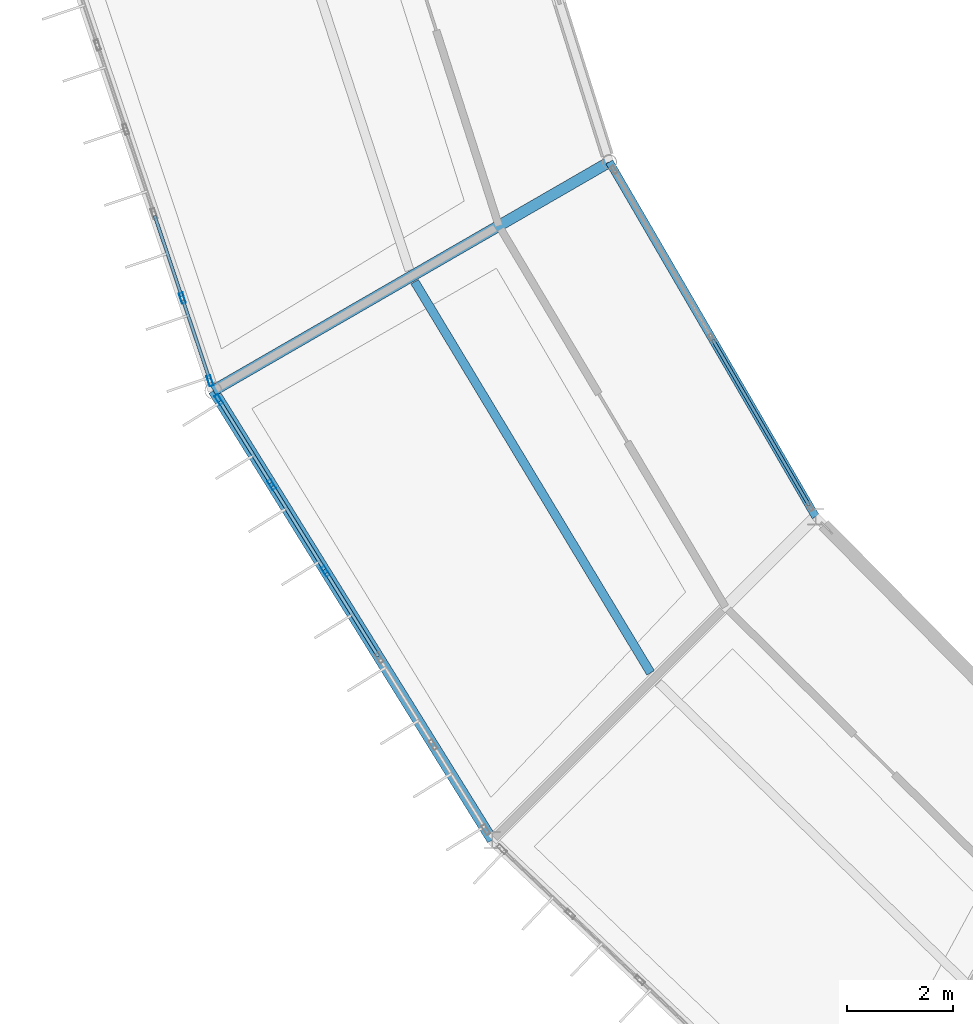
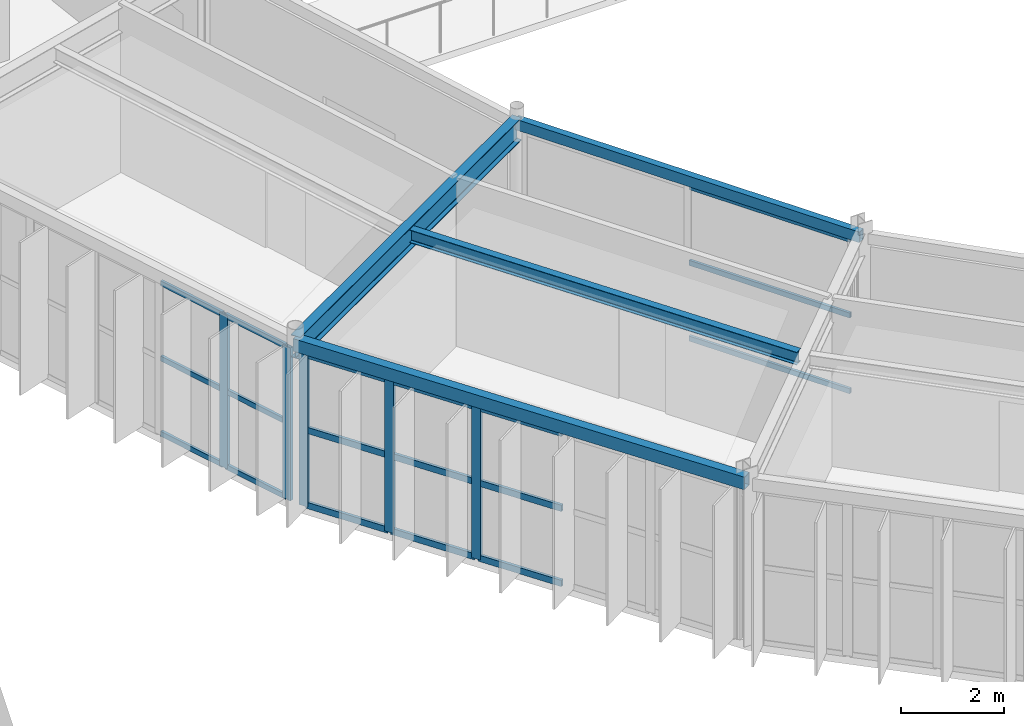
# One storey, part 27 of 147: 23 members, 4 beams, 3 elements without a shape of their own.
"""IFC4 building model written with IfcOpenShell, lengths in metres."""

from ifc_helpers import new_model, si_unit, direction, frame, origin, origin_2d, place, context, subcontext, project, spatial, hollow_rectangle, i_section, extrude, material, material_profile, profile_set, type_object, element, aggregate, save


model = new_model("IFC4")

# Units and contexts
model_context = context("Model", 3, precision=1e-05, world=origin(), true_north=direction((0.0, 1.0)))
body_context = subcontext(model_context, "Body", "Model", "MODEL_VIEW")
ifc_project = project(units=[si_unit("LENGTHUNIT", "METRE"), si_unit("AREAUNIT", "SQUARE_METRE"), si_unit("VOLUMEUNIT", "CUBIC_METRE"), si_unit("PLANEANGLEUNIT", "RADIAN"), si_unit("MASSUNIT", "GRAM", prefix="KILO")], contexts=[model_context])

# Site, building, storey
site_placement = place(None, origin())
site = spatial("IfcSite", under=ifc_project, at=site_placement, CompositionType="ELEMENT")
building_placement = place(site_placement, origin())
building = spatial("IfcBuilding", under=site, at=building_placement, Name="Karori Crest Natural Sciences Institute", CompositionType="ELEMENT")
storey_placement = place(building_placement, frame((0.0, 0.0, 9.10009765625)))
storey = spatial("IfcBuildingStorey", under=building, at=storey_placement, Name="L02", CompositionType="ELEMENT", Elevation=9.10009765625)

# Beams
ifc_material_1 = material(Name="Structural steel AS/NZS 3679.1 Grade 350", Category="steel")
ifc_material_profile_1 = material_profile(ifc_material_1, i_section(OverallWidth=0.208984375, OverallDepth=0.532958984375, WebThickness=0.01025390625, FlangeThickness=0.015625, FilletRadius=0.013916015625, at=origin_2d()), Name="530UB92.4")
ifc_profile_set_1 = profile_set([ifc_material_profile_1], Name="Structural steel AS/NZS 3679.1 Grade 350")
beam_type_1 = type_object("IfcBeamType", Name="BT-05", PredefinedType="BEAM", material=ifc_profile_set_1)
beam_1_placement = place(storey_placement, frame((45.26904296875, 33.800048828125, 3.67333984375), z_axis=(-0.866021068297, -0.500007509209, 0.0), x_axis=(0.500007509209, -0.866021068297, 0.0)))
element("IfcBeam", 1, at=beam_1_placement, inside=storey, type_object=beam_type_1, Name="Beam B-0324", PredefinedType="BEAM", context=body_context, shape_type="SweptSolid", body=[
    extrude(i_section(OverallWidth=0.208984375, OverallDepth=0.532958984375, WebThickness=0.01025390625, FlangeThickness=0.015625, FilletRadius=0.013916015625, at=origin_2d()), origin(), (0.0, 0.0, 1.0), 8.599853515625),
])
ifc_material_profile_2 = material_profile(ifc_material_1, i_section(OverallWidth=0.1650390625, OverallDepth=0.303955078125, WebThickness=0.006103515625, FlangeThickness=0.01025390625, FilletRadius=0.010986328125, at=origin_2d()), Name="310UB40.4")
ifc_profile_set_2 = profile_set([ifc_material_profile_2], Name="Structural steel AS/NZS 3679.1 Grade 350")
beam_type_2 = type_object("IfcBeamType", Name="BT-10", PredefinedType="BEAM", material=ifc_profile_set_2)
beam_2_placement = place(storey_placement, frame((41.607177734375, 31.54736328125, 3.787841796875), z_axis=(0.516601017309, -0.856226248672, 0.0), x_axis=(0.856226248672, 0.516601017309, 0.0)))
element("IfcBeam", 2, at=beam_2_placement, inside=storey, type_object=beam_type_2, Name="Beam B-0325", PredefinedType="BEAM", context=body_context, shape_type="SweptSolid", body=[
    extrude(i_section(OverallWidth=0.1650390625, OverallDepth=0.303955078125, WebThickness=0.006103515625, FlangeThickness=0.01025390625, FilletRadius=0.010986328125, at=origin_2d()), origin(), (0.0, 0.0, 1.0), 8.5888671875),
])
ifc_material_2 = material(Name="Hollow structural steel AS/NZS 1163 Grade C350", Category="steel")
ifc_material_profile_3 = material_profile(ifc_material_2, hollow_rectangle(XDim=0.199951171875, YDim=0.300048828125, WallThickness=0.010009765625, at=origin_2d()), Name="RHS300x200x10")
ifc_profile_set_3 = profile_set([ifc_material_profile_3], Name="Hollow structural steel AS/NZS 1163 Grade C350")
beam_type_3 = type_object("IfcBeamType", Name="BT-15", PredefinedType="SPANDREL", material=ifc_profile_set_3)
beam_3_placement = place(storey_placement, frame((37.8212890625, 29.5, 3.789794921875), z_axis=(0.527315195609, -0.849669750244, 0.0), x_axis=(0.849669750244, 0.527315195609, 0.0)))
element("IfcBeam", 3, at=beam_3_placement, inside=storey, type_object=beam_type_3, Name="Beam B-0322", PredefinedType="SPANDREL", context=body_context, shape_type="SweptSolid", body=[
    extrude(hollow_rectangle(XDim=0.199951171875, YDim=0.300048828125, WallThickness=0.010009765625, at=origin_2d()), origin(), (0.0, 0.0, 1.0), 9.945068359375),
])
ifc_material_profile_4 = material_profile(ifc_material_2, hollow_rectangle(XDim=0.14990234375, YDim=0.25, WallThickness=0.009033203125, at=origin_2d()), Name="RHS250x150x9")
ifc_profile_set_4 = profile_set([ifc_material_profile_4], Name="Hollow structural steel AS/NZS 1163 Grade C350")
beam_type_4 = type_object("IfcBeamType", Name="BT-16", PredefinedType="SPANDREL", material=ifc_profile_set_4)
beam_4_placement = place(storey_placement, frame((45.26904296875, 33.800048828125, 3.789794921875), z_axis=(0.502634759064, -0.86449887159, 0.0), x_axis=(0.86449887159, 0.502634759064, 0.0)))
element("IfcBeam", 4, at=beam_4_placement, inside=storey, type_object=beam_type_4, Name="Beam B-0323", PredefinedType="SPANDREL", context=body_context, shape_type="SweptSolid", body=[
    extrude(hollow_rectangle(XDim=0.14990234375, YDim=0.25, WallThickness=0.009033203125, at=origin_2d()), origin(), (0.0, 0.0, 1.0), 7.714111328125),
])

# Curtain wall, members
ifc_material_3 = material(Name="Anodised architectural aluminium 6063-T6", Category="aluminium")
curtain_wall_type_1 = type_object("IfcCurtainWallType", Name="CWT-04", PredefinedType="NOTDEFINED", material=ifc_material_3)
curtain_wall_1_placement = place(storey_placement, origin())
curtain_wall_1 = element("IfcCurtainWall", 5, at=curtain_wall_1_placement, inside=storey, type_object=curtain_wall_type_1, Name="Curtain wall CW-0084", PredefinedType="NOTDEFINED")
ifc_material_profile_5 = material_profile(ifc_material_3, hollow_rectangle(XDim=0.074951171875, YDim=0.199951171875, WallThickness=0.0048828125, at=origin_2d()), Name="CWM200x75x5")
ifc_profile_set_5 = profile_set([ifc_material_profile_5], Name="Anodised architectural aluminium 6063-T6")
member_type_1 = type_object("IfcMemberType", Name="CWM-02", PredefinedType="MULLION", material=ifc_profile_set_5)
member_1_placement = place(storey_placement, frame((37.758544921875, 29.687255859375, 0.0), z_axis=(0.0, 0.0, 1.0), x_axis=(-0.948196219586, -0.317685267462, 0.0)))
member_1 = element("IfcMember", 6, at=member_1_placement, type_object=member_type_1, Name="CW-0084 mullion 1", PredefinedType="MULLION", context=body_context, shape_type="SweptSolid", body=[
    extrude(hollow_rectangle(XDim=0.074951171875, YDim=0.199951171875, WallThickness=0.0048828125, at=origin_2d()), origin(), (0.0, 0.0, 1.0), 3.625),
])
member_2_placement = place(storey_placement, frame((37.23876953125, 31.23876953125, 0.0), z_axis=(0.0, 0.0, 1.0), x_axis=(-0.948196219586, -0.317685267462, 0.0)))
member_2 = element("IfcMember", 7, at=member_2_placement, type_object=member_type_1, Name="CW-0084 mullion 2", PredefinedType="MULLION", context=body_context, shape_type="SweptSolid", body=[
    extrude(hollow_rectangle(XDim=0.074951171875, YDim=0.199951171875, WallThickness=0.0048828125, at=origin_2d()), origin(), (0.0, 0.0, 1.0), 3.625),
])

curtain_wall_type_2 = type_object("IfcCurtainWallType", Name="CWT-05", PredefinedType="NOTDEFINED", material=ifc_material_3)
curtain_wall_2_placement = place(storey_placement, origin())
curtain_wall_2 = element("IfcCurtainWall", 8, at=curtain_wall_2_placement, inside=storey, type_object=curtain_wall_type_2, Name="Curtain wall CW-0085", PredefinedType="NOTDEFINED")
member_3_placement = place(storey_placement, frame((39.929443359375, 26.103271484375, 0.0), z_axis=(0.0, 0.0, 1.0), x_axis=(-0.849665769424, -0.527321609902, 0.0)))
member_3 = element("IfcMember", 9, at=member_3_placement, type_object=member_type_1, Name="CW-0085 mullion 4", PredefinedType="MULLION", context=body_context, shape_type="SweptSolid", body=[
    extrude(hollow_rectangle(XDim=0.074951171875, YDim=0.199951171875, WallThickness=0.0048828125, at=origin_2d()), origin(), (0.0, 0.0, 1.0), 3.625),
])
member_4_placement = place(storey_placement, frame((38.91748046875, 27.733642578125, 0.0), z_axis=(0.0, 0.0, 1.0), x_axis=(-0.849665769424, -0.527321609902, 0.0)))
member_4 = element("IfcMember", 10, at=member_4_placement, type_object=member_type_1, Name="CW-0085 mullion 5", PredefinedType="MULLION", context=body_context, shape_type="SweptSolid", body=[
    extrude(hollow_rectangle(XDim=0.074951171875, YDim=0.199951171875, WallThickness=0.0048828125, at=origin_2d()), origin(), (0.0, 0.0, 1.0), 3.625),
])
member_5_placement = place(storey_placement, frame((37.92529296875, 29.332275390625, 0.0), z_axis=(0.0, 0.0, 1.0), x_axis=(-0.849665769424, -0.527321609902, 0.0)))
member_5 = element("IfcMember", 11, at=member_5_placement, type_object=member_type_1, Name="CW-0085 mullion 6", PredefinedType="MULLION", context=body_context, shape_type="SweptSolid", body=[
    extrude(hollow_rectangle(XDim=0.074951171875, YDim=0.199951171875, WallThickness=0.0048828125, at=origin_2d()), origin(), (0.0, 0.0, 1.0), 3.625),
])

# Member
ifc_material_profile_6 = material_profile(ifc_material_3, hollow_rectangle(XDim=0.06005859375, YDim=0.1201171875, WallThickness=0.00390625, at=origin_2d()), Name="CWT120x60x4")
ifc_profile_set_6 = profile_set([ifc_material_profile_6], Name="Anodised architectural aluminium 6063-T6")
member_type_2 = type_object("IfcMemberType", Name="CWT-TR1", PredefinedType="USERDEFINED", material=ifc_profile_set_6)
member_6_placement = place(storey_placement, frame((37.74658203125, 29.722900390625, 0.02978515625), z_axis=(-0.317634958397, 0.948213073736, 0.0), x_axis=(-0.948213073736, -0.317634958397, 0.0)))
member_6 = element("IfcMember", 12, at=member_6_placement, type_object=member_type_2, Name="CW-0084 transom 1.1", ObjectType="TRANSOM", PredefinedType="USERDEFINED", context=body_context, shape_type="SweptSolid", body=[
    extrude(hollow_rectangle(XDim=0.06005859375, YDim=0.1201171875, WallThickness=0.00390625, at=origin_2d()), origin(), (0.0, 0.0, 1.0), 1.56103515625),
])

member_7_placement = place(storey_placement, frame((37.74658203125, 29.722900390625, 1.8125), z_axis=(-0.317634958397, 0.948213073736, 0.0), x_axis=(-0.948213073736, -0.317634958397, 0.0)))
member_7 = element("IfcMember", 13, at=member_7_placement, type_object=member_type_2, Name="CW-0084 transom 1.2", ObjectType="TRANSOM", PredefinedType="USERDEFINED", context=body_context, shape_type="SweptSolid", body=[
    extrude(hollow_rectangle(XDim=0.06005859375, YDim=0.1201171875, WallThickness=0.00390625, at=origin_2d()), origin(), (0.0, 0.0, 1.0), 1.56103515625),
])

member_8_placement = place(storey_placement, frame((37.74658203125, 29.722900390625, 3.594970703125), z_axis=(-0.317634958397, 0.948213073736, 0.0), x_axis=(-0.948213073736, -0.317634958397, 0.0)))
member_8 = element("IfcMember", 14, at=member_8_placement, type_object=member_type_2, Name="CW-0084 transom 1.3", ObjectType="TRANSOM", PredefinedType="USERDEFINED", context=body_context, shape_type="SweptSolid", body=[
    extrude(hollow_rectangle(XDim=0.06005859375, YDim=0.1201171875, WallThickness=0.00390625, at=origin_2d()), origin(), (0.0, 0.0, 1.0), 1.56103515625),
])

member_9_placement = place(storey_placement, frame((37.226806640625, 31.274169921875, 0.02978515625), z_axis=(-0.317647663217, 0.948208817747, 0.0), x_axis=(-0.948208817747, -0.317647663217, 0.0)))
member_9 = element("IfcMember", 15, at=member_9_placement, type_object=member_type_2, Name="CW-0084 transom 2.1", ObjectType="TRANSOM", PredefinedType="USERDEFINED", context=body_context, shape_type="SweptSolid", body=[
    extrude(hollow_rectangle(XDim=0.06005859375, YDim=0.1201171875, WallThickness=0.00390625, at=origin_2d()), origin(), (0.0, 0.0, 1.0), 1.5986328125),
])

member_10_placement = place(storey_placement, frame((37.226806640625, 31.274169921875, 1.8125), z_axis=(-0.317647663217, 0.948208817747, 0.0), x_axis=(-0.948208817747, -0.317647663217, 0.0)))
member_10 = element("IfcMember", 16, at=member_10_placement, type_object=member_type_2, Name="CW-0084 transom 2.2", ObjectType="TRANSOM", PredefinedType="USERDEFINED", context=body_context, shape_type="SweptSolid", body=[
    extrude(hollow_rectangle(XDim=0.06005859375, YDim=0.1201171875, WallThickness=0.00390625, at=origin_2d()), origin(), (0.0, 0.0, 1.0), 1.5986328125),
])

member_11_placement = place(storey_placement, frame((37.226806640625, 31.274169921875, 3.594970703125), z_axis=(-0.317647663217, 0.948208817747, 0.0), x_axis=(-0.948208817747, -0.317647663217, 0.0)))
member_11 = element("IfcMember", 17, at=member_11_placement, type_object=member_type_2, Name="CW-0084 transom 2.3", ObjectType="TRANSOM", PredefinedType="USERDEFINED", context=body_context, shape_type="SweptSolid", body=[
    extrude(hollow_rectangle(XDim=0.06005859375, YDim=0.1201171875, WallThickness=0.00390625, at=origin_2d()), origin(), (0.0, 0.0, 1.0), 1.5986328125),
])

aggregate(curtain_wall_1, [member_1, member_2, member_6, member_7, member_8, member_9, member_10, member_11])

# Curtain wall, members
curtain_wall_type_3 = type_object("IfcCurtainWallType", Name="CWT-15", PredefinedType="NOTDEFINED", material=ifc_material_3)
curtain_wall_3_placement = place(storey_placement, origin())
curtain_wall_3 = element("IfcCurtainWall", 18, at=curtain_wall_3_placement, inside=storey, type_object=curtain_wall_type_3, Name="Curtain wall CW-0086", PredefinedType="NOTDEFINED")
member_12_placement = place(storey_placement, frame((47.212646484375, 30.457275390625, 0.02978515625), z_axis=(0.502686422749, -0.864468831355, 0.0), x_axis=(0.864468831355, 0.502686422749, 0.0)))
member_12 = element("IfcMember", 19, at=member_12_placement, type_object=member_type_2, Name="CW-0086 transom 2.1", ObjectType="TRANSOM", PredefinedType="USERDEFINED", context=body_context, shape_type="SweptSolid", body=[
    extrude(hollow_rectangle(XDim=0.06005859375, YDim=0.1201171875, WallThickness=0.00390625, at=origin_2d()), origin(), (0.0, 0.0, 1.0), 3.602294921875),
])
member_13_placement = place(storey_placement, frame((47.212646484375, 30.457275390625, 1.824951171875), z_axis=(0.502686422749, -0.864468831355, 0.0), x_axis=(0.864468831355, 0.502686422749, 0.0)))
member_13 = element("IfcMember", 20, at=member_13_placement, type_object=member_type_2, Name="CW-0086 transom 2.2", ObjectType="TRANSOM", PredefinedType="USERDEFINED", context=body_context, shape_type="SweptSolid", body=[
    extrude(hollow_rectangle(XDim=0.06005859375, YDim=0.1201171875, WallThickness=0.00390625, at=origin_2d()), origin(), (0.0, 0.0, 1.0), 3.602294921875),
])
member_14_placement = place(storey_placement, frame((47.212646484375, 30.457275390625, 3.619873046875), z_axis=(0.502686422749, -0.864468831355, 0.0), x_axis=(0.864468831355, 0.502686422749, 0.0)))
member_14 = element("IfcMember", 21, at=member_14_placement, type_object=member_type_2, Name="CW-0086 transom 2.3", ObjectType="TRANSOM", PredefinedType="USERDEFINED", context=body_context, shape_type="SweptSolid", body=[
    extrude(hollow_rectangle(XDim=0.06005859375, YDim=0.1201171875, WallThickness=0.00390625, at=origin_2d()), origin(), (0.0, 0.0, 1.0), 3.602294921875),
])
aggregate(curtain_wall_3, [member_12, member_13, member_14])

# Member
ifc_material_profile_7 = material_profile(ifc_material_3, hollow_rectangle(XDim=0.06494140625, YDim=0.14990234375, WallThickness=0.00390625, at=origin_2d()), Name="CWT150x65x4")
ifc_profile_set_7 = profile_set([ifc_material_profile_7], Name="Anodised architectural aluminium 6063-T6")
member_type_3 = type_object("IfcMemberType", Name="CWT-TR2", PredefinedType="USERDEFINED", material=ifc_profile_set_7)
member_15_placement = place(storey_placement, frame((40.921630859375, 24.504638671875, 0.032470703125), z_axis=(-0.527366157674, 0.849638120461, 0.0), x_axis=(-0.849638120461, -0.527366157674, 0.0)))
member_15 = element("IfcMember", 22, at=member_15_placement, type_object=member_type_3, Name="CW-0085 transom 3.1", ObjectType="TRANSOM", PredefinedType="USERDEFINED", context=body_context, shape_type="SweptSolid", body=[
    extrude(hollow_rectangle(XDim=0.06494140625, YDim=0.14990234375, WallThickness=0.00390625, at=origin_2d()), origin(), (0.0, 0.0, 1.0), 1.843994140625),
])

member_16_placement = place(storey_placement, frame((40.921630859375, 24.504638671875, 1.8125), z_axis=(-0.527366157674, 0.849638120461, 0.0), x_axis=(-0.849638120461, -0.527366157674, 0.0)))
member_16 = element("IfcMember", 23, at=member_16_placement, type_object=member_type_3, Name="CW-0085 transom 3.2", ObjectType="TRANSOM", PredefinedType="USERDEFINED", context=body_context, shape_type="SweptSolid", body=[
    extrude(hollow_rectangle(XDim=0.06494140625, YDim=0.14990234375, WallThickness=0.00390625, at=origin_2d()), origin(), (0.0, 0.0, 1.0), 1.843994140625),
])

member_17_placement = place(storey_placement, frame((40.921630859375, 24.504638671875, 3.59228515625), z_axis=(-0.527366157674, 0.849638120461, 0.0), x_axis=(-0.849638120461, -0.527366157674, 0.0)))
member_17 = element("IfcMember", 24, at=member_17_placement, type_object=member_type_3, Name="CW-0085 transom 3.3", ObjectType="TRANSOM", PredefinedType="USERDEFINED", context=body_context, shape_type="SweptSolid", body=[
    extrude(hollow_rectangle(XDim=0.06494140625, YDim=0.14990234375, WallThickness=0.00390625, at=origin_2d()), origin(), (0.0, 0.0, 1.0), 1.843994140625),
])

member_18_placement = place(storey_placement, frame((39.90966796875, 26.135009765625, 0.032470703125), z_axis=(-0.527366157674, 0.849638120461, 0.0), x_axis=(-0.849638120461, -0.527366157674, 0.0)))
member_18 = element("IfcMember", 25, at=member_18_placement, type_object=member_type_3, Name="CW-0085 transom 4.1", ObjectType="TRANSOM", PredefinedType="USERDEFINED", context=body_context, shape_type="SweptSolid", body=[
    extrude(hollow_rectangle(XDim=0.06494140625, YDim=0.14990234375, WallThickness=0.00390625, at=origin_2d()), origin(), (0.0, 0.0, 1.0), 1.843994140625),
])

member_19_placement = place(storey_placement, frame((39.90966796875, 26.135009765625, 1.8125), z_axis=(-0.527366157674, 0.849638120461, 0.0), x_axis=(-0.849638120461, -0.527366157674, 0.0)))
member_19 = element("IfcMember", 26, at=member_19_placement, type_object=member_type_3, Name="CW-0085 transom 4.2", ObjectType="TRANSOM", PredefinedType="USERDEFINED", context=body_context, shape_type="SweptSolid", body=[
    extrude(hollow_rectangle(XDim=0.06494140625, YDim=0.14990234375, WallThickness=0.00390625, at=origin_2d()), origin(), (0.0, 0.0, 1.0), 1.843994140625),
])

member_20_placement = place(storey_placement, frame((39.90966796875, 26.135009765625, 3.59228515625), z_axis=(-0.527366157674, 0.849638120461, 0.0), x_axis=(-0.849638120461, -0.527366157674, 0.0)))
member_20 = element("IfcMember", 27, at=member_20_placement, type_object=member_type_3, Name="CW-0085 transom 4.3", ObjectType="TRANSOM", PredefinedType="USERDEFINED", context=body_context, shape_type="SweptSolid", body=[
    extrude(hollow_rectangle(XDim=0.06494140625, YDim=0.14990234375, WallThickness=0.00390625, at=origin_2d()), origin(), (0.0, 0.0, 1.0), 1.843994140625),
])

member_21_placement = place(storey_placement, frame((38.897705078125, 27.765380859375, 0.032470703125), z_axis=(-0.52733594851, 0.849656870395, 0.0), x_axis=(-0.849656870395, -0.52733594851, 0.0)))
member_21 = element("IfcMember", 28, at=member_21_placement, type_object=member_type_3, Name="CW-0085 transom 5.1", ObjectType="TRANSOM", PredefinedType="USERDEFINED", context=body_context, shape_type="SweptSolid", body=[
    extrude(hollow_rectangle(XDim=0.06494140625, YDim=0.14990234375, WallThickness=0.00390625, at=origin_2d()), origin(), (0.0, 0.0, 1.0), 1.806396484375),
])

member_22_placement = place(storey_placement, frame((38.897705078125, 27.765380859375, 1.8125), z_axis=(-0.52733594851, 0.849656870395, 0.0), x_axis=(-0.849656870395, -0.52733594851, 0.0)))
member_22 = element("IfcMember", 29, at=member_22_placement, type_object=member_type_3, Name="CW-0085 transom 5.2", ObjectType="TRANSOM", PredefinedType="USERDEFINED", context=body_context, shape_type="SweptSolid", body=[
    extrude(hollow_rectangle(XDim=0.06494140625, YDim=0.14990234375, WallThickness=0.00390625, at=origin_2d()), origin(), (0.0, 0.0, 1.0), 1.806396484375),
])

member_23_placement = place(storey_placement, frame((38.897705078125, 27.765380859375, 3.59228515625), z_axis=(-0.52733594851, 0.849656870395, 0.0), x_axis=(-0.849656870395, -0.52733594851, 0.0)))
member_23 = element("IfcMember", 30, at=member_23_placement, type_object=member_type_3, Name="CW-0085 transom 5.3", ObjectType="TRANSOM", PredefinedType="USERDEFINED", context=body_context, shape_type="SweptSolid", body=[
    extrude(hollow_rectangle(XDim=0.06494140625, YDim=0.14990234375, WallThickness=0.00390625, at=origin_2d()), origin(), (0.0, 0.0, 1.0), 1.806396484375),
])

aggregate(curtain_wall_2, [member_3, member_4, member_5, member_15, member_16, member_17, member_18, member_19, member_20, member_21, member_22, member_23])

save(model, "model.ifc")
